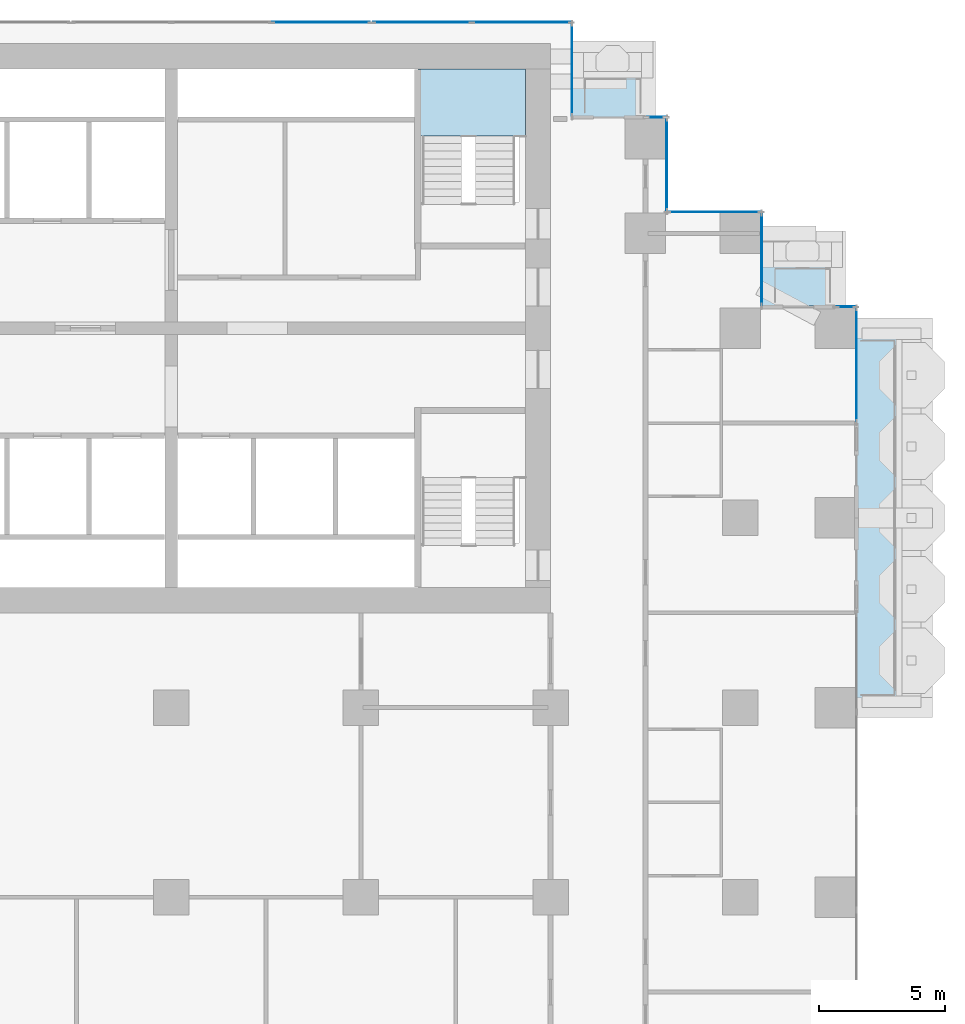
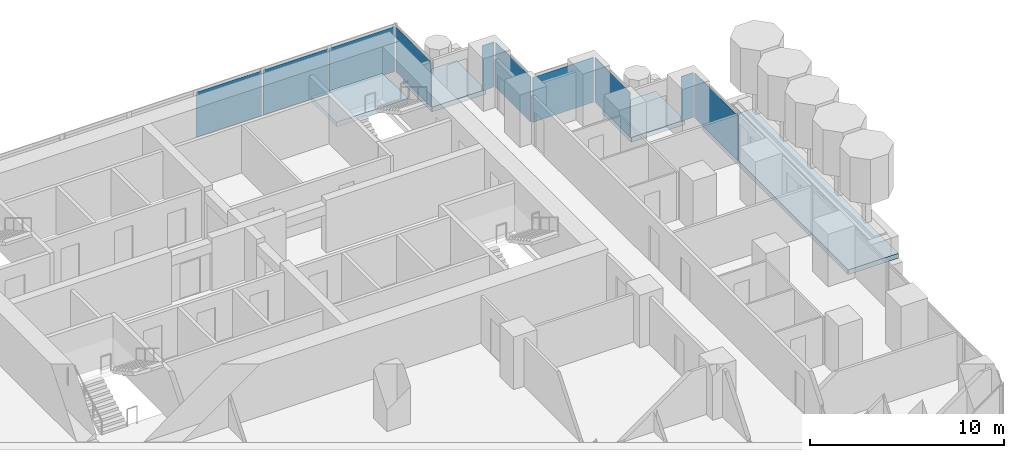
# One storey, part 9 of 18: 10 plates, 4 slabs, 10 elements without a shape of their own.
"""IFC4 building model written with IfcOpenShell, lengths in metres."""

from ifc_helpers import new_model, si_unit, direction, frame, origin, origin_2d, place, context, subcontext, project, spatial, polyline, rectangle, outline, extrude, material, layer, layer_set, type_object, element, aggregate, save


model = new_model("IFC4")

# Units and contexts
model_context = context("Model", 3, precision=1e-05, world=origin(), true_north=direction((0.0, 1.0)))
body_context = subcontext(model_context, "Body", "Model", "MODEL_VIEW")
ifc_project = project(units=[si_unit("LENGTHUNIT", "METRE"), si_unit("AREAUNIT", "SQUARE_METRE"), si_unit("VOLUMEUNIT", "CUBIC_METRE"), si_unit("PLANEANGLEUNIT", "RADIAN"), si_unit("MASSUNIT", "GRAM", prefix="KILO")], contexts=[model_context])

# Site, building, storey
site_placement = place(None, origin())
site = spatial("IfcSite", under=ifc_project, at=site_placement, CompositionType="ELEMENT")
building_placement = place(site_placement, origin())
building = spatial("IfcBuilding", under=site, at=building_placement, Name="Pilkhan Gate Tower", CompositionType="ELEMENT")
storey_placement = place(building_placement, frame((0.0, 0.0, 52.699951171875)))
storey = spatial("IfcBuildingStorey", under=building, at=storey_placement, Name="L10", CompositionType="ELEMENT", Elevation=52.699951171875)

# Slabs
ifc_material_1 = material(Name="Concrete C60/75", Category="concrete")
ifc_layer_1 = layer(ifc_material_1, 0.300048828125)
ifc_layer_set_1 = layer_set([ifc_layer_1], Name="Balcony tray slab TR300")
slab_type_1 = type_object("IfcSlabType", Name="Balcony tray slab TR300", PredefinedType="FLOOR", material=ifc_layer_set_1)
slab_1_placement = place(storey_placement, frame((0.0, 0.0, -0.300048828125)))
element("IfcSlab", 1, at=slab_1_placement, inside=storey, type_object=slab_type_1, Name="Balcony tray L10 E", PredefinedType="FLOOR", context=body_context, shape_type="SweptSolid", body=[
    extrude(outline(polyline([(105.10009765625, 67.5), (105.10009765625, 82.5), (102.10009765625, 82.5), (102.10009765625, 67.5), (105.10009765625, 67.5)])), origin(), (0.0, 0.0, 1.0), 0.300048828125),
])
slab_2_placement = place(storey_placement, frame((0.0, 0.0, -0.300048828125)))
element("IfcSlab", 2, at=slab_2_placement, inside=storey, type_object=slab_type_1, Name="Balcony tray L10 N", PredefinedType="FLOOR", context=body_context, shape_type="SweptSolid", body=[
    extrude(outline(polyline([(94.050048828125, 90.85009765625), (94.050048828125, 93.85009765625), (90.85009765625, 93.85009765625), (90.85009765625, 90.85009765625), (94.050048828125, 90.85009765625)])), origin(), (0.0, 0.0, 1.0), 0.300048828125),
])
slab_3_placement = place(storey_placement, frame((0.0, 0.0, -0.300048828125)))
element("IfcSlab", 3, at=slab_3_placement, inside=storey, type_object=slab_type_1, Name="Balcony tray L10 N", PredefinedType="FLOOR", context=body_context, shape_type="SweptSolid", body=[
    extrude(outline(polyline([(101.550048828125, 83.3701171875), (101.550048828125, 86.35009765625), (98.3701171875, 86.35009765625), (98.3701171875, 83.3701171875), (101.550048828125, 83.3701171875)])), origin(), (0.0, 0.0, 1.0), 0.300048828125),
])

# Curtain wall, plate
ifc_material_2 = material(Name="Pale anodised aluminium, clear low-iron double glazing", Category="aluminium")
curtain_wall_type = type_object("IfcCurtainWallType", Name="Hotel unitised curtain wall CW-H", PredefinedType="USERDEFINED", material=ifc_material_2)
curtain_wall_1_placement = place(storey_placement, origin())
curtain_wall_1 = element("IfcCurtainWall", 4, at=curtain_wall_1_placement, inside=storey, type_object=curtain_wall_type, Name="Hotel unitised curtain wall CW-H L10 E", ObjectType="UNITISED CURTAIN WALL", PredefinedType="USERDEFINED")
ifc_material_3 = material(Name="Clear low-iron double glazing", Category="glass")
ifc_layer_2 = layer(ifc_material_3, 0.035888671875)
ifc_layer_set_2 = layer_set([ifc_layer_2], Name="Glass panel CW-H 36")
plate_type = type_object("IfcPlateType", Name="Glass panel CW-H 36", PredefinedType="CURTAIN_PANEL", material=ifc_layer_set_2)
plate_1_placement = place(storey_placement, frame((102.094970703125, 81.047607421875, 0.0), z_axis=(0.0, 0.0, 1.0), x_axis=(0.0, 1.0, 0.0)))
plate_1 = element("IfcPlate", 5, at=plate_1_placement, type_object=plate_type, Name="CW-H panel 1", PredefinedType="CURTAIN_PANEL", context=body_context, shape_type="SweptSolid", body=[
    extrude(rectangle(XDim=4.465087890625, YDim=0.035888671875, at=origin_2d()), origin(), (0.0, 0.0, 1.0), 2.820068359375),
])
aggregate(curtain_wall_1, [plate_1])

curtain_wall_2_placement = place(storey_placement, origin())
curtain_wall_2 = element("IfcCurtainWall", 6, at=curtain_wall_2_placement, inside=storey, type_object=curtain_wall_type, Name="Hotel unitised curtain wall CW-H L10 N", ObjectType="UNITISED CURTAIN WALL", PredefinedType="USERDEFINED")
plate_2_placement = place(storey_placement, frame((101.672607421875, 83.344970703125, 0.0), z_axis=(0.0, 0.0, 1.0), x_axis=(1.0, 0.0, 0.0)))
plate_2 = element("IfcPlate", 7, at=plate_2_placement, type_object=plate_type, Name="CW-H panel 1", PredefinedType="CURTAIN_PANEL", context=body_context, shape_type="SweptSolid", body=[
    extrude(rectangle(XDim=0.715087890625, YDim=0.035888671875, at=origin_2d()), origin(), (0.0, 0.0, 1.0), 2.820068359375),
])
aggregate(curtain_wall_2, [plate_2])

curtain_wall_3_placement = place(storey_placement, origin())
curtain_wall_3 = element("IfcCurtainWall", 8, at=curtain_wall_3_placement, inside=storey, type_object=curtain_wall_type, Name="Hotel unitised curtain wall CW-H L10 E", ObjectType="UNITISED CURTAIN WALL", PredefinedType="USERDEFINED")
plate_3_placement = place(storey_placement, frame((98.344970703125, 85.219970703125, 0.0), z_axis=(0.0, 0.0, 1.0), x_axis=(0.0, 1.0, 0.0)))
plate_3 = element("IfcPlate", 9, at=plate_3_placement, type_object=plate_type, Name="CW-H panel 1", PredefinedType="CURTAIN_PANEL", context=body_context, shape_type="SweptSolid", body=[
    extrude(rectangle(XDim=3.6201171875, YDim=0.035888671875, at=origin_2d()), origin(), (0.0, 0.0, 1.0), 2.820068359375),
])
aggregate(curtain_wall_3, [plate_3])

curtain_wall_4_placement = place(storey_placement, origin())
curtain_wall_4 = element("IfcCurtainWall", 10, at=curtain_wall_4_placement, inside=storey, type_object=curtain_wall_type, Name="Hotel unitised curtain wall CW-H L10 N", ObjectType="UNITISED CURTAIN WALL", PredefinedType="USERDEFINED")
plate_4_placement = place(storey_placement, frame((96.469970703125, 87.094970703125, 0.0), z_axis=(0.0, 0.0, 1.0), x_axis=(1.0, 0.0, 0.0)))
plate_4 = element("IfcPlate", 11, at=plate_4_placement, type_object=plate_type, Name="CW-H panel 1", PredefinedType="CURTAIN_PANEL", context=body_context, shape_type="SweptSolid", body=[
    extrude(rectangle(XDim=3.6201171875, YDim=0.035888671875, at=origin_2d()), origin(), (0.0, 0.0, 1.0), 2.820068359375),
])
aggregate(curtain_wall_4, [plate_4])

curtain_wall_5_placement = place(storey_placement, origin())
curtain_wall_5 = element("IfcCurtainWall", 12, at=curtain_wall_5_placement, inside=storey, type_object=curtain_wall_type, Name="Hotel unitised curtain wall CW-H L10 E", ObjectType="UNITISED CURTAIN WALL", PredefinedType="USERDEFINED")
plate_5_placement = place(storey_placement, frame((94.594970703125, 88.969970703125, 0.0), z_axis=(0.0, 0.0, 1.0), x_axis=(0.0, 1.0, 0.0)))
plate_5 = element("IfcPlate", 13, at=plate_5_placement, type_object=plate_type, Name="CW-H panel 1", PredefinedType="CURTAIN_PANEL", context=body_context, shape_type="SweptSolid", body=[
    extrude(rectangle(XDim=3.6201171875, YDim=0.035888671875, at=origin_2d()), origin(), (0.0, 0.0, 1.0), 2.820068359375),
])
aggregate(curtain_wall_5, [plate_5])

curtain_wall_6_placement = place(storey_placement, origin())
curtain_wall_6 = element("IfcCurtainWall", 14, at=curtain_wall_6_placement, inside=storey, type_object=curtain_wall_type, Name="Hotel unitised curtain wall CW-H L10 N", ObjectType="UNITISED CURTAIN WALL", PredefinedType="USERDEFINED")
plate_6_placement = place(storey_placement, frame((94.172607421875, 90.844970703125, 0.0), z_axis=(0.0, 0.0, 1.0), x_axis=(1.0, 0.0, 0.0)))
plate_6 = element("IfcPlate", 15, at=plate_6_placement, type_object=plate_type, Name="CW-H panel 1", PredefinedType="CURTAIN_PANEL", context=body_context, shape_type="SweptSolid", body=[
    extrude(rectangle(XDim=0.715087890625, YDim=0.035888671875, at=origin_2d()), origin(), (0.0, 0.0, 1.0), 2.820068359375),
])
aggregate(curtain_wall_6, [plate_6])

curtain_wall_7_placement = place(storey_placement, origin())
curtain_wall_7 = element("IfcCurtainWall", 16, at=curtain_wall_7_placement, inside=storey, type_object=curtain_wall_type, Name="Hotel unitised curtain wall CW-H L10 E", ObjectType="UNITISED CURTAIN WALL", PredefinedType="USERDEFINED")
plate_7_placement = place(storey_placement, frame((90.844970703125, 92.719970703125, 0.0), z_axis=(0.0, 0.0, 1.0), x_axis=(0.0, 1.0, 0.0)))
plate_7 = element("IfcPlate", 17, at=plate_7_placement, type_object=plate_type, Name="CW-H panel 1", PredefinedType="CURTAIN_PANEL", context=body_context, shape_type="SweptSolid", body=[
    extrude(rectangle(XDim=3.6201171875, YDim=0.035888671875, at=origin_2d()), origin(), (0.0, 0.0, 1.0), 2.820068359375),
])
aggregate(curtain_wall_7, [plate_7])

curtain_wall_8_placement = place(storey_placement, origin())
curtain_wall_8 = element("IfcCurtainWall", 18, at=curtain_wall_8_placement, inside=storey, type_object=curtain_wall_type, Name="Hotel unitised curtain wall CW-H L10 N", ObjectType="UNITISED CURTAIN WALL", PredefinedType="USERDEFINED")
plate_8_placement = place(storey_placement, frame((80.925537109375, 94.594970703125, 0.0), z_axis=(0.0, 0.0, 1.0), x_axis=(1.0, 0.0, 0.0)))
plate_8 = element("IfcPlate", 19, at=plate_8_placement, type_object=plate_type, Name="CW-H panel 3", PredefinedType="CURTAIN_PANEL", context=body_context, shape_type="SweptSolid", body=[
    extrude(rectangle(XDim=3.86376953125, YDim=0.035888671875, at=origin_2d()), origin(), (0.0, 0.0, 1.0), 2.820068359375),
])
aggregate(curtain_wall_8, [plate_8])

# Curtain wall, plates
curtain_wall_9_placement = place(storey_placement, origin())
curtain_wall_9 = element("IfcCurtainWall", 20, at=curtain_wall_9_placement, inside=storey, type_object=curtain_wall_type, Name="Hotel unitised curtain wall CW-H L10 N", ObjectType="UNITISED CURTAIN WALL", PredefinedType="USERDEFINED")
plate_9_placement = place(storey_placement, frame((84.91943359375, 94.594970703125, 0.0), z_axis=(0.0, 0.0, 1.0), x_axis=(1.0, 0.0, 0.0)))
plate_9 = element("IfcPlate", 21, at=plate_9_placement, type_object=plate_type, Name="CW-H panel 1", PredefinedType="CURTAIN_PANEL", context=body_context, shape_type="SweptSolid", body=[
    extrude(rectangle(XDim=3.86376953125, YDim=0.035888671875, at=origin_2d()), origin(), (0.0, 0.0, 1.0), 2.820068359375),
])
plate_10_placement = place(storey_placement, frame((88.84814453125, 94.594970703125, 0.0), z_axis=(0.0, 0.0, 1.0), x_axis=(1.0, 0.0, 0.0)))
plate_10 = element("IfcPlate", 22, at=plate_10_placement, type_object=plate_type, Name="CW-H panel 2", PredefinedType="CURTAIN_PANEL", context=body_context, shape_type="SweptSolid", body=[
    extrude(rectangle(XDim=3.86376953125, YDim=0.035888671875, at=origin_2d()), origin(), (0.0, 0.0, 1.0), 2.820068359375),
])
aggregate(curtain_wall_9, [plate_9, plate_10])

# Stair, slab
ifc_material_4 = material(Name="Concrete C40/50 precast", Category="concrete")
stair_type = type_object("IfcStairType", Name="Stair ST4 165x300", PredefinedType="HALF_TURN_STAIR", material=ifc_material_4)
stair_placement = place(storey_placement, origin())
stair = element("IfcStair", 23, at=stair_placement, inside=storey, type_object=stair_type, Name="Stair ST4 L10", PredefinedType="HALF_TURN_STAIR")
ifc_material_5 = material(Name="Concrete C40/50", Category="concrete")
ifc_layer_3 = layer(ifc_material_5, 0.199951171875)
ifc_layer_set_3 = layer_set([ifc_layer_3], Name="Stair landing SL200")
slab_type_2 = type_object("IfcSlabType", Name="Stair landing SL200", PredefinedType="LANDING", material=ifc_layer_set_3)
slab_4_placement = place(storey_placement, frame((0.0, 0.0, 1.35009765625)))
slab_4 = element("IfcSlab", 24, at=slab_4_placement, type_object=slab_type_2, Name="ST4 landing 1", PredefinedType="LANDING", context=body_context, shape_type="SweptSolid", body=[
    extrude(outline(polyline([(89.0, 90.10009765625), (89.0, 92.75), (84.75, 92.75), (84.75, 90.10009765625), (89.0, 90.10009765625)])), origin(), (0.0, 0.0, 1.0), 0.300048828125),
])
aggregate(stair, [slab_4])

save(model, "model.ifc")
